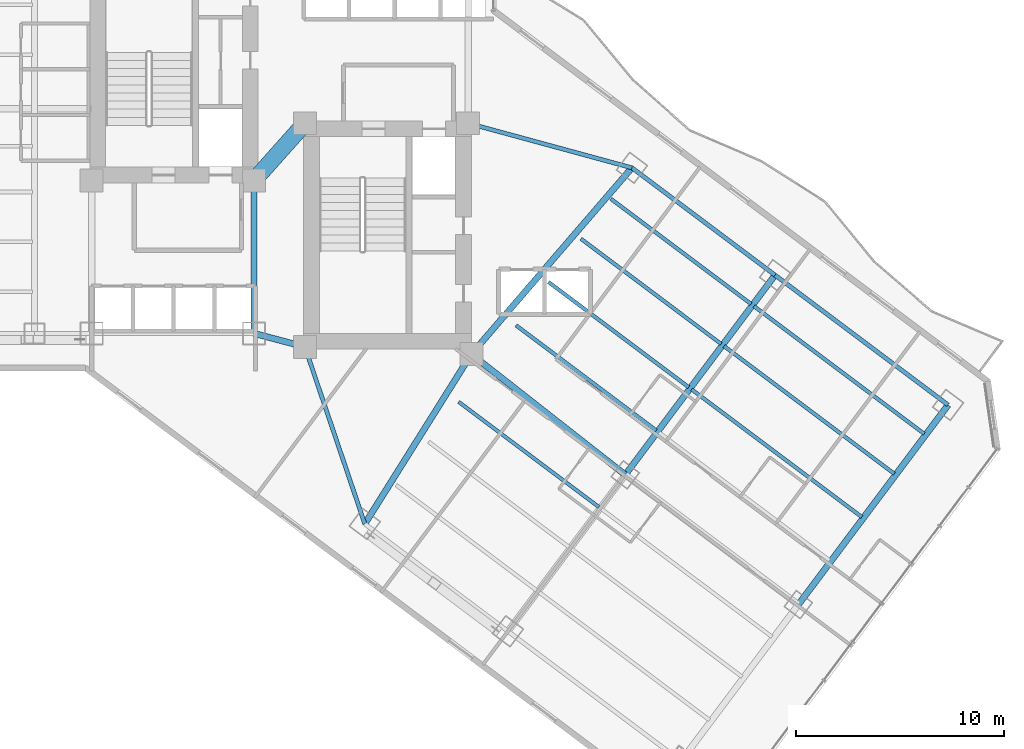
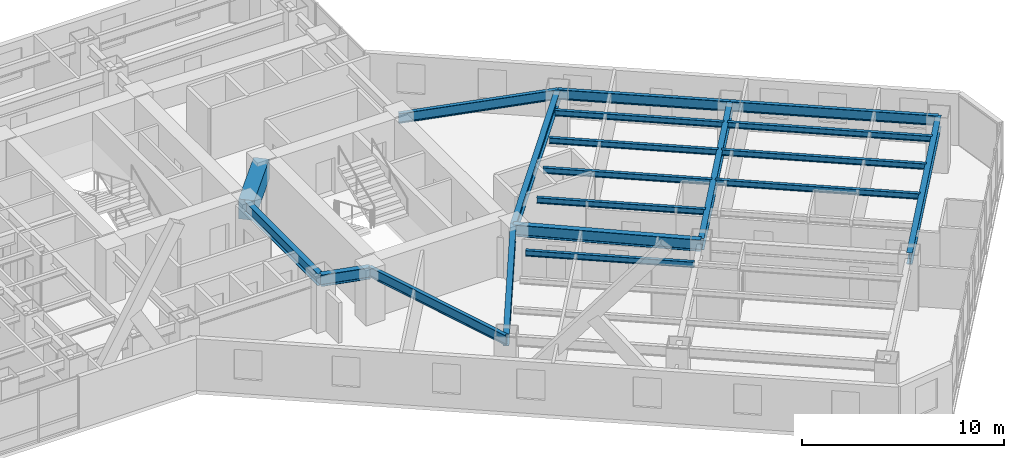
# One storey, part 11 of 33: 20 beams.
"""IFC4 building model written with IfcOpenShell, lengths in metres."""

from ifc_helpers import new_model, si_unit, direction, frame, origin, origin_2d, place, context, subcontext, project, spatial, rectangle, i_section, extrude, material, material_profile, profile_set, type_object, element, save


model = new_model("IFC4")

# Units and contexts
model_context = context("Model", 3, precision=1e-05, world=origin(), true_north=direction((0.0, 1.0)))
body_context = subcontext(model_context, "Body", "Model", "MODEL_VIEW")
ifc_project = project(units=[si_unit("LENGTHUNIT", "METRE"), si_unit("AREAUNIT", "SQUARE_METRE"), si_unit("VOLUMEUNIT", "CUBIC_METRE"), si_unit("PLANEANGLEUNIT", "RADIAN"), si_unit("MASSUNIT", "GRAM", prefix="KILO")], contexts=[model_context])

# Site, building, storey
site_placement = place(None, origin())
site = spatial("IfcSite", under=ifc_project, at=site_placement, CompositionType="ELEMENT")
building_placement = place(site_placement, origin())
building = spatial("IfcBuilding", under=site, at=building_placement, Name="Hatsunagi Terrace Concourse", CompositionType="ELEMENT")
storey_placement = place(building_placement, frame((0.0, 0.0, 53.35009765625)))
storey = spatial("IfcBuildingStorey", under=building, at=storey_placement, Name="L13", CompositionType="ELEMENT", Elevation=53.35009765625)

# Beams
ifc_material_1 = material(Name="Concrete Fc60", Category="concrete")
ifc_material_profile_1 = material_profile(ifc_material_1, rectangle(XDim=0.800048828125, YDim=1.199951171875, at=origin_2d()), Name="RC-800x1200")
ifc_profile_set_1 = profile_set([ifc_material_profile_1], Name="Concrete Fc60")
beam_type_1 = type_object("IfcBeamType", Name="CoreCouplingBeam_RC_800x1200", PredefinedType="BEAM", material=ifc_profile_set_1)
beam_1_placement = place(storey_placement, frame((33.35009765625, 32.550048828125, 2.52978515625), z_axis=(0.665198651008, 0.746666427997, 0.0), x_axis=(-0.746666427997, 0.665198651008, 0.0)))
element("IfcBeam", 1, at=beam_1_placement, inside=storey, type_object=beam_type_1, Name="Beam CB-01 CB-L13-1", PredefinedType="BEAM", context=body_context, shape_type="SweptSolid", body=[
    extrude(rectangle(XDim=0.800048828125, YDim=1.199951171875, at=origin_2d()), origin(), (0.0, 0.0, 1.0), 3.68310546875),
])
ifc_material_2 = material(Name="Steel SN490B", Category="steel")
ifc_material_profile_2 = material_profile(ifc_material_2, i_section(OverallWidth=0.300048828125, OverallDepth=0.699951171875, WebThickness=0.012939453125, FlangeThickness=0.02392578125, FilletRadius=0.02197265625, at=origin_2d()), Name="H-700x300x13x24")
ifc_profile_set_2 = profile_set([ifc_material_profile_2], Name="Steel SN490B")
beam_type_2 = type_object("IfcBeamType", Name="HotelFloorGirder_H_700x300", PredefinedType="BEAM", material=ifc_profile_set_2)
beam_2_placement = place(storey_placement, frame((33.35009765625, 25.199951171875, 2.77978515625), z_axis=(0.0, 1.0, 0.0), x_axis=(-1.0, 0.0, 0.0)))
element("IfcBeam", 2, at=beam_2_placement, inside=storey, type_object=beam_type_2, Name="Beam G-04 BM-L13-K2CA", PredefinedType="BEAM", context=body_context, shape_type="SweptSolid", body=[
    extrude(i_section(OverallWidth=0.300048828125, OverallDepth=0.699951171875, WebThickness=0.012939453125, FlangeThickness=0.02392578125, FilletRadius=0.02197265625, at=origin_2d()), origin(), (0.0, 0.0, 1.0), 7.35009765625),
])
beam_3_placement = place(storey_placement, frame((33.35009765625, 25.199951171875, 2.77978515625), z_axis=(0.966569840116, -0.256403479262, 0.0), x_axis=(0.256403479262, 0.966569840116, 0.0)))
element("IfcBeam", 3, at=beam_3_placement, inside=storey, type_object=beam_type_2, Name="Beam G-04 BM-L13-K2CB", PredefinedType="BEAM", context=body_context, shape_type="SweptSolid", body=[
    extrude(i_section(OverallWidth=0.300048828125, OverallDepth=0.699951171875, WebThickness=0.012939453125, FlangeThickness=0.02392578125, FilletRadius=0.02197265625, at=origin_2d()), origin(), (0.0, 0.0, 1.0), 2.53466796875),
])
beam_4_placement = place(storey_placement, frame((38.679931640625, 16.0400390625, 2.77978515625), z_axis=(0.531503907049, 0.847055840421, 0.0), x_axis=(-0.847055840421, 0.531503907049, 0.0)))
element("IfcBeam", 4, at=beam_4_placement, inside=storey, type_object=beam_type_2, Name="Beam G-04 BM-L13-SET-1A", PredefinedType="BEAM", context=body_context, shape_type="SweptSolid", body=[
    extrude(i_section(OverallWidth=0.300048828125, OverallDepth=0.699951171875, WebThickness=0.012939453125, FlangeThickness=0.02392578125, FilletRadius=0.02197265625, at=origin_2d()), origin(), (0.0, 0.0, 1.0), 9.63330078125),
])
beam_5_placement = place(storey_placement, frame((43.800048828125, 24.199951171875, 2.77978515625), z_axis=(0.652739101421, 0.757582777969, 0.0), x_axis=(-0.757582777969, 0.652739101421, 0.0)))
element("IfcBeam", 5, at=beam_5_placement, inside=storey, type_object=beam_type_2, Name="Beam G-04 BM-L13-SET-1B", PredefinedType="BEAM", context=body_context, shape_type="SweptSolid", body=[
    extrude(i_section(OverallWidth=0.300048828125, OverallDepth=0.699951171875, WebThickness=0.012939453125, FlangeThickness=0.02392578125, FilletRadius=0.02197265625, at=origin_2d()), origin(), (0.0, 0.0, 1.0), 11.8271484375),
])
beam_6_placement = place(storey_placement, frame((43.800048828125, 24.199951171875, 2.77978515625), z_axis=(0.787049441068, -0.616889923175, 0.0), x_axis=(0.616889923175, 0.787049441068, 0.0)))
element("IfcBeam", 6, at=beam_6_placement, inside=storey, type_object=beam_type_2, Name="Beam G-04 BM-L13-SE-M2", PredefinedType="BEAM", context=body_context, shape_type="SweptSolid", body=[
    extrude(i_section(OverallWidth=0.300048828125, OverallDepth=0.699951171875, WebThickness=0.012939453125, FlangeThickness=0.02392578125, FilletRadius=0.02197265625, at=origin_2d()), origin(), (0.0, 0.0, 1.0), 9.402099609375),
])
for number, where, z_axis, x_axis, name in (
    (7, (51.199951171875, 18.39990234375, 2.77978515625), (0.59999348959, 0.800004882766, 0.0), (-0.800004882766, 0.59999348959, 0.0), "Beam G-04 BM-L13-SET-2B"),
    (8, (59.52001953125, 12.159912109375, 2.77978515625), (0.59999348959, 0.800004882766, 0.0), (-0.800004882766, 0.59999348959, 0.0), "Beam G-04 BM-L13-SET-3B"),
):
    element("IfcBeam", number, at=place(storey_placement, frame(where, z_axis=z_axis, x_axis=x_axis)), inside=storey, type_object=beam_type_2, Name=name, PredefinedType="BEAM", context=body_context, shape_type="SweptSolid", body=[
        extrude(i_section(OverallWidth=0.300048828125, OverallDepth=0.699951171875, WebThickness=0.012939453125, FlangeThickness=0.02392578125, FilletRadius=0.02197265625, at=origin_2d()), origin(), (0.0, 0.0, 1.0), 12.0),
    ])
ifc_material_3 = material(Name="Steel SN490B", Category="steel")
ifc_material_profile_3 = material_profile(ifc_material_3, i_section(OverallWidth=0.175048828125, OverallDepth=0.35009765625, WebThickness=0.007080078125, FlangeThickness=0.010986328125, FilletRadius=0.012939453125, at=origin_2d()), Name="H-350x175x7x11")
ifc_profile_set_3 = profile_set([ifc_material_profile_3], Name="Steel SN490B")
beam_type_3 = type_object("IfcBeamType", Name="HotelJoist_H_350x175", PredefinedType="JOIST", material=ifc_profile_set_3)
for number, where, z_axis, x_axis, name in (
    (9, (43.18798828125, 21.908935546875, 2.954833984375), (0.800003475366, -0.59999536615, 0.0), (0.59999536615, 0.800003475366, 0.0), "Beam J-02 J-L13-SE-2-96"),
    (10, (45.947998046875, 25.589111328125, 2.954833984375), (0.799989573921, -0.600013901187, 0.0), (0.600013901187, 0.799989573921, 0.0), "Beam J-02 J-L13-SE-2-142"),
    (11, (47.508056640625, 27.6689453125, 2.954833984375), (0.800003475366, -0.59999536615, 0.0), (0.59999536615, 0.800003475366, 0.0), "Beam J-02 J-L13-SE-2-168"),
    (12, (49.068115234375, 29.7490234375, 2.954833984375), (0.799989573921, -0.600013901187, 0.0), (0.600013901187, 0.799989573921, 0.0), "Beam J-02 J-L13-SE-2-194"),
    (13, (50.508056640625, 31.6689453125, 2.954833984375), (0.800003475366, -0.59999536615, 0.0), (0.59999536615, 0.800003475366, 0.0), "Beam J-02 J-L13-SE-2-218"),
):
    element("IfcBeam", number, at=place(storey_placement, frame(where, z_axis=z_axis, x_axis=x_axis)), inside=storey, type_object=beam_type_3, Name=name, PredefinedType="JOIST", context=body_context, shape_type="SweptSolid", body=[
        extrude(i_section(OverallWidth=0.175048828125, OverallDepth=0.35009765625, WebThickness=0.007080078125, FlangeThickness=0.010986328125, FilletRadius=0.012939453125, at=origin_2d()), origin(), (0.0, 0.0, 1.0), 8.429931640625),
    ])
beam_7_placement = place(storey_placement, frame((54.387939453125, 22.509033203125, 2.954833984375), z_axis=(0.800005727586, -0.599992363142, 0.0), x_axis=(0.599992363142, 0.800005727586, 0.0)))
element("IfcBeam", 14, at=beam_7_placement, inside=storey, type_object=beam_type_3, Name="Beam J-02 J-L13-SE-3-168", PredefinedType="JOIST", context=body_context, shape_type="SweptSolid", body=[
    extrude(i_section(OverallWidth=0.175048828125, OverallDepth=0.35009765625, WebThickness=0.007080078125, FlangeThickness=0.010986328125, FilletRadius=0.012939453125, at=origin_2d()), origin(), (0.0, 0.0, 1.0), 10.22998046875),
])
beam_8_placement = place(storey_placement, frame((55.947998046875, 24.589111328125, 2.954833984375), z_axis=(0.799994272423, -0.600007636694, 0.0), x_axis=(0.600007636694, 0.799994272423, 0.0)))
element("IfcBeam", 15, at=beam_8_placement, inside=storey, type_object=beam_type_3, Name="Beam J-02 J-L13-SE-3-194", PredefinedType="JOIST", context=body_context, shape_type="SweptSolid", body=[
    extrude(i_section(OverallWidth=0.175048828125, OverallDepth=0.35009765625, WebThickness=0.007080078125, FlangeThickness=0.010986328125, FilletRadius=0.012939453125, at=origin_2d()), origin(), (0.0, 0.0, 1.0), 10.230224609375),
])
beam_9_placement = place(storey_placement, frame((57.387939453125, 26.509033203125, 2.954833984375), z_axis=(0.800005727586, -0.599992363142, 0.0), x_axis=(0.599992363142, 0.800005727586, 0.0)))
element("IfcBeam", 16, at=beam_9_placement, inside=storey, type_object=beam_type_3, Name="Beam J-02 J-L13-SE-3-218", PredefinedType="JOIST", context=body_context, shape_type="SweptSolid", body=[
    extrude(i_section(OverallWidth=0.175048828125, OverallDepth=0.35009765625, WebThickness=0.007080078125, FlangeThickness=0.010986328125, FilletRadius=0.012939453125, at=origin_2d()), origin(), (0.0, 0.0, 1.0), 10.22998046875),
])
ifc_material_4 = material(Name="Steel SN490B", Category="steel")
ifc_material_profile_4 = material_profile(ifc_material_4, i_section(OverallWidth=0.199951171875, OverallDepth=0.60009765625, WebThickness=0.010986328125, FlangeThickness=0.01708984375, FilletRadius=0.01806640625, at=origin_2d()), Name="H-600x200x11x17")
ifc_profile_set_4 = profile_set([ifc_material_profile_4], Name="Steel SN490B")
beam_type_4 = type_object("IfcBeamType", Name="PerimeterSpandrel_H_600x200", PredefinedType="SPANDREL", material=ifc_profile_set_4)
beam_10_placement = place(storey_placement, frame((35.800048828125, 24.550048828125, 2.829833984375), z_axis=(0.320553412271, -0.947230441805, 0.0), x_axis=(0.947230441805, 0.320553412271, 0.0)))
element("IfcBeam", 17, at=beam_10_placement, inside=storey, type_object=beam_type_4, Name="Beam SP-01 BM-L13-SE-SW0", PredefinedType="SPANDREL", context=body_context, shape_type="SweptSolid", body=[
    extrude(i_section(OverallWidth=0.199951171875, OverallDepth=0.60009765625, WebThickness=0.010986328125, FlangeThickness=0.01708984375, FilletRadius=0.01806640625, at=origin_2d()), origin(), (0.0, 0.0, 1.0), 8.984130859375),
])
beam_11_placement = place(storey_placement, frame((43.64990234375, 35.300048828125, 2.829833984375), z_axis=(0.964958359286, -0.262403057994, 0.0), x_axis=(0.262403057994, 0.964958359286, 0.0)))
element("IfcBeam", 18, at=beam_11_placement, inside=storey, type_object=beam_type_4, Name="Beam SP-01 BM-L13-SE-NE0", PredefinedType="SPANDREL", context=body_context, shape_type="SweptSolid", body=[
    extrude(i_section(OverallWidth=0.199951171875, OverallDepth=0.60009765625, WebThickness=0.010986328125, FlangeThickness=0.01708984375, FilletRadius=0.01806640625, at=origin_2d()), origin(), (0.0, 0.0, 1.0), 8.156005859375),
])
beam_12_placement = place(storey_placement, frame((51.52001953125, 33.159912109375, 2.829833984375), z_axis=(0.8, -0.6, 0.0), x_axis=(0.6, 0.8, 0.0)))
element("IfcBeam", 19, at=beam_12_placement, inside=storey, type_object=beam_type_4, Name="Beam SP-01 BM-L13-SE-NE2", PredefinedType="SPANDREL", context=body_context, shape_type="SweptSolid", body=[
    extrude(i_section(OverallWidth=0.199951171875, OverallDepth=0.60009765625, WebThickness=0.010986328125, FlangeThickness=0.01708984375, FilletRadius=0.01806640625, at=origin_2d()), origin(), (0.0, 0.0, 1.0), 8.599853515625),
])
beam_13_placement = place(storey_placement, frame((58.39990234375, 28.0, 2.829833984375), z_axis=(0.800002816985, -0.599996244001, 0.0), x_axis=(0.599996244001, 0.800002816985, 0.0)))
element("IfcBeam", 20, at=beam_13_placement, inside=storey, type_object=beam_type_4, Name="Beam SP-01 BM-L13-SE-NE3", PredefinedType="SPANDREL", context=body_context, shape_type="SweptSolid", body=[
    extrude(i_section(OverallWidth=0.199951171875, OverallDepth=0.60009765625, WebThickness=0.010986328125, FlangeThickness=0.01708984375, FilletRadius=0.01806640625, at=origin_2d()), origin(), (0.0, 0.0, 1.0), 10.400146484375),
])

save(model, "model.ifc")
